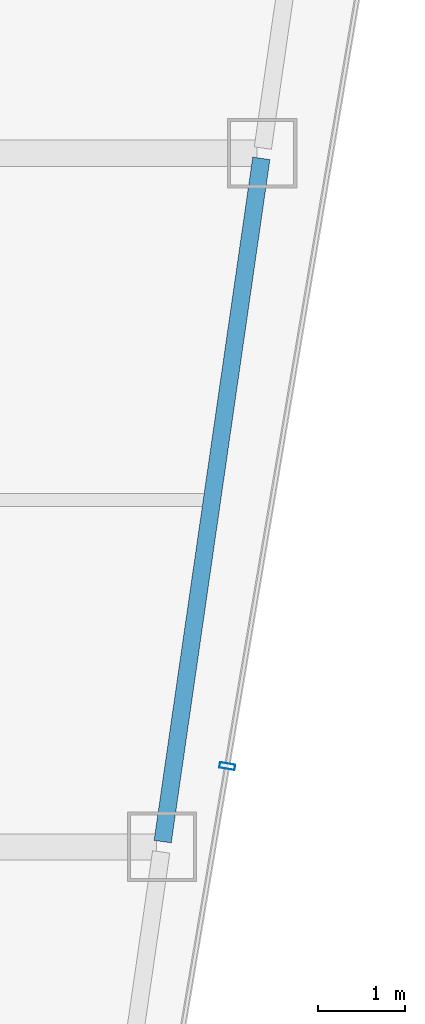
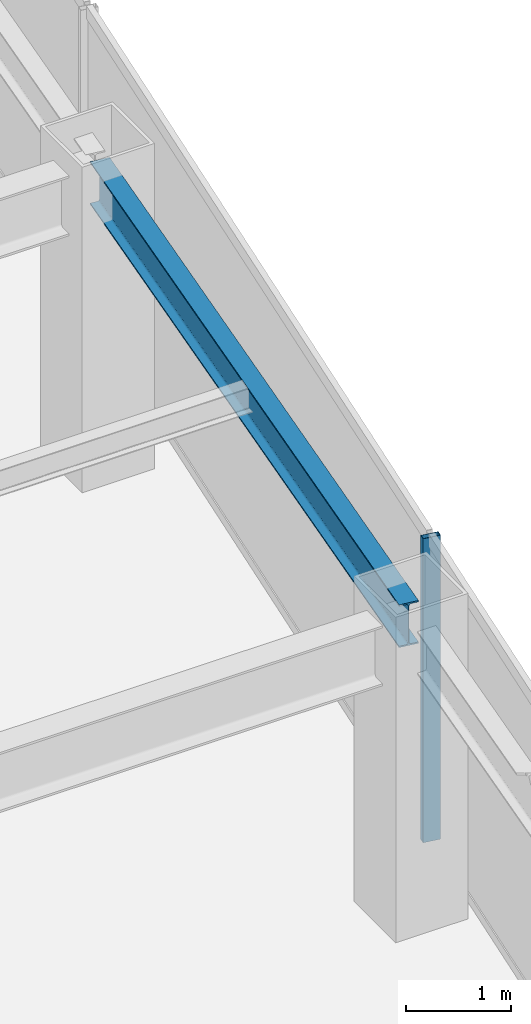
# One storey, part 20 of 36: 1 beam, 1 member, 1 element without a shape of its own.
"""IFC4 building model written with IfcOpenShell, lengths in metres."""

from ifc_helpers import new_model, si_unit, direction, frame, origin, origin_2d, place, context, subcontext, project, spatial, hollow_rectangle, i_section, extrude, material, material_profile, profile_set, type_object, element, aggregate, save


model = new_model("IFC4")

# Units and contexts
model_context = context("Model", 3, precision=1e-05, world=origin(), true_north=direction((0.0, 1.0)))
body_context = subcontext(model_context, "Body", "Model", "MODEL_VIEW")
ifc_project = project(units=[si_unit("LENGTHUNIT", "METRE"), si_unit("AREAUNIT", "SQUARE_METRE"), si_unit("VOLUMEUNIT", "CUBIC_METRE"), si_unit("PLANEANGLEUNIT", "RADIAN"), si_unit("MASSUNIT", "GRAM", prefix="KILO")], contexts=[model_context])

# Site, building, storey
site_placement = place(None, origin())
site = spatial("IfcSite", under=ifc_project, at=site_placement, CompositionType="ELEMENT")
building_placement = place(site_placement, origin())
building = spatial("IfcBuilding", under=site, at=building_placement, Name="Saevonmaru Cultural Tower", CompositionType="ELEMENT")
storey_placement = place(building_placement, frame((0.0, 0.0, 198.0)))
storey = spatial("IfcBuildingStorey", under=building, at=storey_placement, Name="L45", CompositionType="ELEMENT", Elevation=198.0)

# Beam
ifc_material_1 = material(Name="Steel SM355", Category="steel")
ifc_material_profile_1 = material_profile(ifc_material_1, i_section(OverallWidth=0.199951171875, OverallDepth=0.5, WebThickness=0.010009765625, FlangeThickness=0.01611328125, FilletRadius=0.02001953125, at=origin_2d()), Name="H-500x200x10x16")
ifc_profile_set_1 = profile_set([ifc_material_profile_1], Name="Steel SM355")
beam_type = type_object("IfcBeamType", Name="BM-SP-H500", PredefinedType="SPANDREL", material=ifc_profile_set_1)
beam_placement = place(storey_placement, frame((50.53662109375, 24.059326171875, 3.300048828125), z_axis=(0.142871999001, 0.989741174197, 0.0), x_axis=(-0.989741174197, 0.142871999001, 0.0)))
element("IfcBeam", 1, at=beam_placement, inside=storey, type_object=beam_type, Name="L45 East Splayed Spandrel 2", PredefinedType="SPANDREL", context=body_context, shape_type="SweptSolid", body=[
    extrude(i_section(OverallWidth=0.199951171875, OverallDepth=0.5, WebThickness=0.010009765625, FlangeThickness=0.01611328125, FilletRadius=0.02001953125, at=origin_2d()), origin(), (0.0, 0.0, 1.0), 7.963134765625),
])

# Curtain wall, member
ifc_material_2 = material(Name="Satin Bronze Anodised Aluminium", Category="aluminium")
curtain_wall_type = type_object("IfcCurtainWallType", Name="CW-TYP-B", PredefinedType="NOTDEFINED", material=ifc_material_2)
curtain_wall_placement = place(storey_placement, origin())
curtain_wall = element("IfcCurtainWall", 2, at=curtain_wall_placement, inside=storey, type_object=curtain_wall_type, Name="L45 Unitised Curtain Wall E8", PredefinedType="NOTDEFINED")
ifc_material_profile_2 = material_profile(ifc_material_2, hollow_rectangle(XDim=0.06494140625, YDim=0.179931640625, WallThickness=0.00390625, at=origin_2d()), Name="ALU-MULL-180x65x4")
ifc_profile_set_2 = profile_set([ifc_material_profile_2], Name="Satin Bronze Anodised Aluminium")
member_type = type_object("IfcMemberType", Name="ML-CW-180x65", PredefinedType="MULLION", material=ifc_profile_set_2)
member_placement = place(storey_placement, frame((51.28173828125, 24.9296875, 0.0), z_axis=(0.0, 0.0, 1.0), x_axis=(0.16692169721, 0.985970155228, 0.0)))
member = element("IfcMember", 3, at=member_placement, type_object=member_type, Name="CW-TW-L45-E8 mullion 2", PredefinedType="MULLION", context=body_context, shape_type="SweptSolid", body=[
    extrude(hollow_rectangle(XDim=0.06494140625, YDim=0.179931640625, WallThickness=0.00390625, at=origin_2d()), origin(), (0.0, 0.0, 1.0), 3.550048828125),
])
aggregate(curtain_wall, [member])

save(model, "model.ifc")
